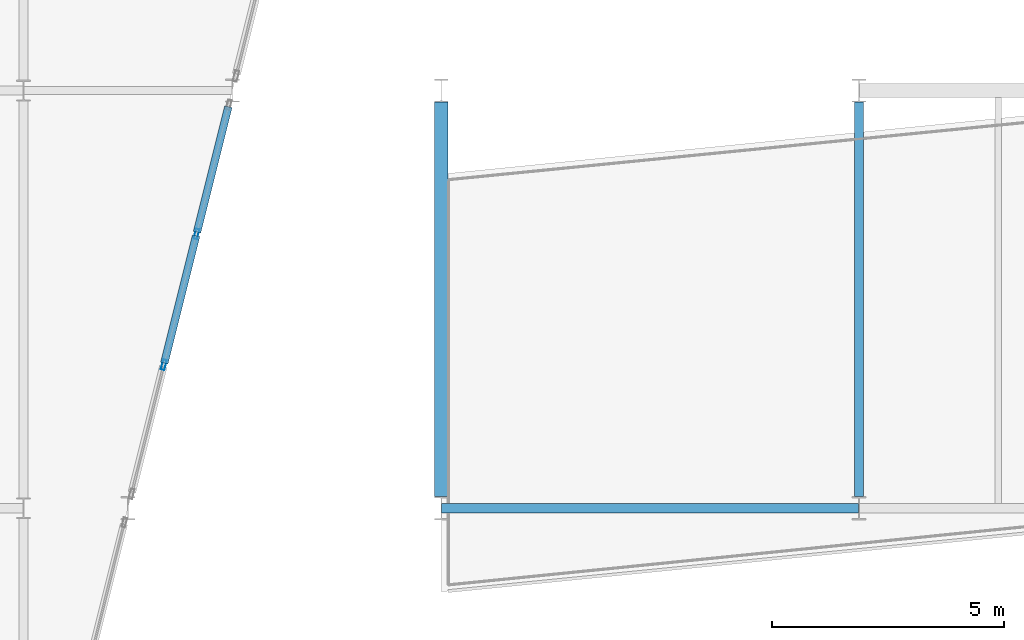
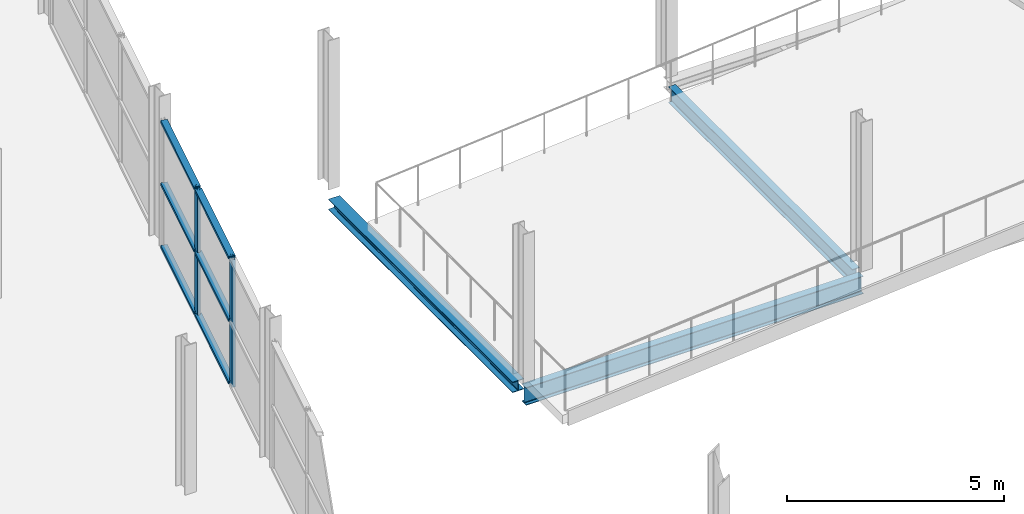
# One storey, part 53 of 135: 8 members, 3 beams, 1 element without a shape of its own.
"""IFC4 building model written with IfcOpenShell, lengths in metres."""

from ifc_helpers import new_model, si_unit, direction, frame, origin, origin_2d, place, context, subcontext, project, spatial, hollow_rectangle, i_section, extrude, material, layer, layer_set, material_profile, profile_set, type_object, element, aggregate, save


model = new_model("IFC4")

# Units and contexts
model_context = context("Model", 3, precision=1e-05, world=origin(), true_north=direction((0.0, 1.0)))
body_context = subcontext(model_context, "Body", "Model", "MODEL_VIEW")
ifc_project = project(units=[si_unit("LENGTHUNIT", "METRE"), si_unit("AREAUNIT", "SQUARE_METRE"), si_unit("VOLUMEUNIT", "CUBIC_METRE"), si_unit("PLANEANGLEUNIT", "RADIAN"), si_unit("MASSUNIT", "GRAM", prefix="KILO")], contexts=[model_context])

# Site, building, storey
site_placement = place(None, origin())
site = spatial("IfcSite", under=ifc_project, at=site_placement, CompositionType="ELEMENT")
building_placement = place(site_placement, origin())
building = spatial("IfcBuilding", under=site, at=building_placement, Name="Deido Ridge Mobility Hub", CompositionType="ELEMENT")
storey_placement = place(building_placement, frame((0.0, 0.0, 4.199951171875)))
storey = spatial("IfcBuildingStorey", under=building, at=storey_placement, Name="L01", CompositionType="ELEMENT", Elevation=4.199951171875)

# Beams
ifc_material_1 = material(Name="Steel S355J2 EN 10025-2", Category="steel")
ifc_material_profile_1 = material_profile(ifc_material_1, i_section(OverallWidth=0.18994140625, OverallDepth=0.449951171875, WebThickness=0.009521484375, FlangeThickness=0.0146484375, FilletRadius=0.02099609375, at=origin_2d()), Name="IPE 450")
ifc_profile_set_1 = profile_set([ifc_material_profile_1], Name="Steel S355J2 EN 10025-2")
beam_type_1 = type_object("IfcBeamType", Name="BM-IPE450", PredefinedType="BEAM", material=ifc_profile_set_1)
beam_1_placement = place(storey_placement, frame((63.0, 54.25, -0.474853515625), z_axis=(0.0, 1.0, 0.0), x_axis=(-1.0, 0.0, 0.0)))
element("IfcBeam", 1, at=beam_1_placement, inside=storey, type_object=beam_type_1, Name="Floor beam B4", PredefinedType="BEAM", context=body_context, shape_type="SweptSolid", body=[
    extrude(i_section(OverallWidth=0.18994140625, OverallDepth=0.449951171875, WebThickness=0.009521484375, FlangeThickness=0.0146484375, FilletRadius=0.02099609375, at=origin_2d()), origin(), (0.0, 0.0, 1.0), 8.5),
])
ifc_material_profile_2 = material_profile(ifc_material_1, i_section(OverallWidth=0.199951171875, OverallDepth=0.5, WebThickness=0.01025390625, FlangeThickness=0.01611328125, FilletRadius=0.02099609375, at=origin_2d()), Name="IPE 500")
ifc_profile_set_2 = profile_set([ifc_material_profile_2], Name="Steel S355J2 EN 10025-2")
beam_type_2 = type_object("IfcBeamType", Name="BM-IPE500", PredefinedType="BEAM", material=ifc_profile_set_2)
beam_2_placement = place(storey_placement, frame((54.007080078125, 54.0, -0.5), z_axis=(1.0, 0.0, 0.0), x_axis=(0.0, 1.0, 0.0)))
element("IfcBeam", 2, at=beam_2_placement, inside=storey, type_object=beam_type_2, Name="Floor beam B3", PredefinedType="BEAM", context=body_context, shape_type="SweptSolid", body=[
    extrude(i_section(OverallWidth=0.199951171875, OverallDepth=0.5, WebThickness=0.01025390625, FlangeThickness=0.01611328125, FilletRadius=0.02099609375, at=origin_2d()), origin(), (0.0, 0.0, 1.0), 8.98583984375),
])

# Curtain wall, members
ifc_material_2 = material(Name="Anodised aluminium EN AW-6063 T6", Category="aluminium")
ifc_layer = layer(ifc_material_2, 0.239990234375, Name="Anodised aluminium EN AW-6063 T6")
ifc_layer_set = layer_set([ifc_layer], Name="Anodised aluminium EN AW-6063 T6")
curtain_wall_type = type_object("IfcCurtainWallType", Name="CW-UF-6", PredefinedType="USERDEFINED", material=ifc_layer_set)
curtain_wall_placement = place(storey_placement, origin())
curtain_wall = element("IfcCurtainWall", 3, at=curtain_wall_placement, inside=storey, type_object=curtain_wall_type, Name="Unitised curtain wall CW6", ObjectType="UNITISED FACADE", PredefinedType="USERDEFINED")
ifc_material_profile_3 = material_profile(ifc_material_2, hollow_rectangle(XDim=0.080078125, YDim=0.219970703125, WallThickness=0.00390625, at=origin_2d()), Name="RHS 80x220x4")
ifc_profile_set_3 = profile_set([ifc_material_profile_3], Name="Anodised aluminium EN AW-6063 T6")
member_type_1 = type_object("IfcMemberType", Name="MEM-MUL-80X220", PredefinedType="MULLION", material=ifc_profile_set_3)
member_1_placement = place(storey_placement, frame((48.0224609375, 57.090087890625, 0.0), z_axis=(0.0, 0.0, 1.0), x_axis=(-0.970139801497, 0.242546419373, 0.0)))
member_1 = element("IfcMember", 4, at=member_1_placement, type_object=member_type_1, Name="CW6 mullion 2", PredefinedType="MULLION", context=body_context, shape_type="SweptSolid", body=[
    extrude(hollow_rectangle(XDim=0.080078125, YDim=0.219970703125, WallThickness=0.00390625, at=origin_2d()), origin(), (0.0, 0.0, 1.0), 3.60009765625),
])
member_2_placement = place(storey_placement, frame((48.7275390625, 59.909912109375, 0.0), z_axis=(0.0, 0.0, 1.0), x_axis=(-0.970139801497, 0.242546419373, 0.0)))
member_2 = element("IfcMember", 5, at=member_2_placement, type_object=member_type_1, Name="CW6 mullion 3", PredefinedType="MULLION", context=body_context, shape_type="SweptSolid", body=[
    extrude(hollow_rectangle(XDim=0.080078125, YDim=0.219970703125, WallThickness=0.00390625, at=origin_2d()), origin(), (0.0, 0.0, 1.0), 3.60009765625),
])
ifc_material_profile_4 = material_profile(ifc_material_2, hollow_rectangle(XDim=0.1650390625, YDim=0.080078125, WallThickness=0.00390625, at=origin_2d()), Name="RHS 165x80x4")
ifc_profile_set_4 = profile_set([ifc_material_profile_4], Name="Anodised aluminium EN AW-6063 T6")
member_type_2 = type_object("IfcMemberType", Name="MEM-TRN-165X80", PredefinedType="USERDEFINED", material=ifc_profile_set_4)
member_3_placement = place(storey_placement, frame((48.0322265625, 57.12890625, 0.0400390625), z_axis=(0.242535625036, 0.970142500145, 0.0), x_axis=(-0.970142500145, 0.242535625036, 0.0)))
member_3 = element("IfcMember", 6, at=member_3_placement, type_object=member_type_2, Name="CW6 transom 2.1", ObjectType="TRANSOM", PredefinedType="USERDEFINED", context=body_context, shape_type="SweptSolid", body=[
    extrude(hollow_rectangle(XDim=0.1650390625, YDim=0.080078125, WallThickness=0.00390625, at=origin_2d()), origin(), (0.0, 0.0, 1.0), 2.82666015625),
])
member_4_placement = place(storey_placement, frame((48.0322265625, 57.12890625, 1.800048828125), z_axis=(0.242535625036, 0.970142500145, 0.0), x_axis=(-0.970142500145, 0.242535625036, 0.0)))
member_4 = element("IfcMember", 7, at=member_4_placement, type_object=member_type_2, Name="CW6 transom 2.2", ObjectType="TRANSOM", PredefinedType="USERDEFINED", context=body_context, shape_type="SweptSolid", body=[
    extrude(hollow_rectangle(XDim=0.1650390625, YDim=0.080078125, WallThickness=0.00390625, at=origin_2d()), origin(), (0.0, 0.0, 1.0), 2.82666015625),
])
member_5_placement = place(storey_placement, frame((48.0322265625, 57.12890625, 3.56005859375), z_axis=(0.242535625036, 0.970142500145, 0.0), x_axis=(-0.970142500145, 0.242535625036, 0.0)))
member_5 = element("IfcMember", 8, at=member_5_placement, type_object=member_type_2, Name="CW6 transom 2.3", ObjectType="TRANSOM", PredefinedType="USERDEFINED", context=body_context, shape_type="SweptSolid", body=[
    extrude(hollow_rectangle(XDim=0.1650390625, YDim=0.080078125, WallThickness=0.00390625, at=origin_2d()), origin(), (0.0, 0.0, 1.0), 2.82666015625),
])
member_6_placement = place(storey_placement, frame((48.737060546875, 59.948486328125, 0.0400390625), z_axis=(0.242597468268, 0.970127037243, 0.0), x_axis=(-0.970127037243, 0.242597468268, 0.0)))
member_6 = element("IfcMember", 9, at=member_6_placement, type_object=member_type_2, Name="CW6 transom 3.1", ObjectType="TRANSOM", PredefinedType="USERDEFINED", context=body_context, shape_type="SweptSolid", body=[
    extrude(hollow_rectangle(XDim=0.1650390625, YDim=0.080078125, WallThickness=0.00390625, at=origin_2d()), origin(), (0.0, 0.0, 1.0), 2.78662109375),
])
member_7_placement = place(storey_placement, frame((48.737060546875, 59.948486328125, 1.800048828125), z_axis=(0.242597468268, 0.970127037243, 0.0), x_axis=(-0.970127037243, 0.242597468268, 0.0)))
member_7 = element("IfcMember", 10, at=member_7_placement, type_object=member_type_2, Name="CW6 transom 3.2", ObjectType="TRANSOM", PredefinedType="USERDEFINED", context=body_context, shape_type="SweptSolid", body=[
    extrude(hollow_rectangle(XDim=0.1650390625, YDim=0.080078125, WallThickness=0.00390625, at=origin_2d()), origin(), (0.0, 0.0, 1.0), 2.78662109375),
])
member_8_placement = place(storey_placement, frame((48.737060546875, 59.948486328125, 3.56005859375), z_axis=(0.242597468268, 0.970127037243, 0.0), x_axis=(-0.970127037243, 0.242597468268, 0.0)))
member_8 = element("IfcMember", 11, at=member_8_placement, type_object=member_type_2, Name="CW6 transom 3.3", ObjectType="TRANSOM", PredefinedType="USERDEFINED", context=body_context, shape_type="SweptSolid", body=[
    extrude(hollow_rectangle(XDim=0.1650390625, YDim=0.080078125, WallThickness=0.00390625, at=origin_2d()), origin(), (0.0, 0.0, 1.0), 2.78662109375),
])
aggregate(curtain_wall, [member_1, member_2, member_3, member_4, member_5, member_6, member_7, member_8])

# Beam
ifc_material_profile_5 = material_profile(ifc_material_1, i_section(OverallWidth=0.300048828125, OverallDepth=0.300048828125, WebThickness=0.010986328125, FlangeThickness=0.01904296875, FilletRadius=0.027099609375, at=origin_2d()), Name="HEB 300")
ifc_profile_set_5 = profile_set([ifc_material_profile_5], Name="Steel S355J2 EN 10025-2")
beam_type_3 = type_object("IfcBeamType", Name="SPD-HEB300", PredefinedType="SPANDREL", material=ifc_profile_set_5)
beam_3_placement = place(storey_placement, frame((54.0, 54.25, -0.39990234375), z_axis=(0.0, 1.0, 0.0), x_axis=(-1.0, 0.0, 0.0)))
element("IfcBeam", 12, at=beam_3_placement, inside=storey, type_object=beam_type_3, Name="Floor beam SP1", PredefinedType="SPANDREL", context=body_context, shape_type="SweptSolid", body=[
    extrude(i_section(OverallWidth=0.300048828125, OverallDepth=0.300048828125, WebThickness=0.010986328125, FlangeThickness=0.01904296875, FilletRadius=0.027099609375, at=origin_2d()), origin(), (0.0, 0.0, 1.0), 8.5),
])

save(model, "model.ifc")
